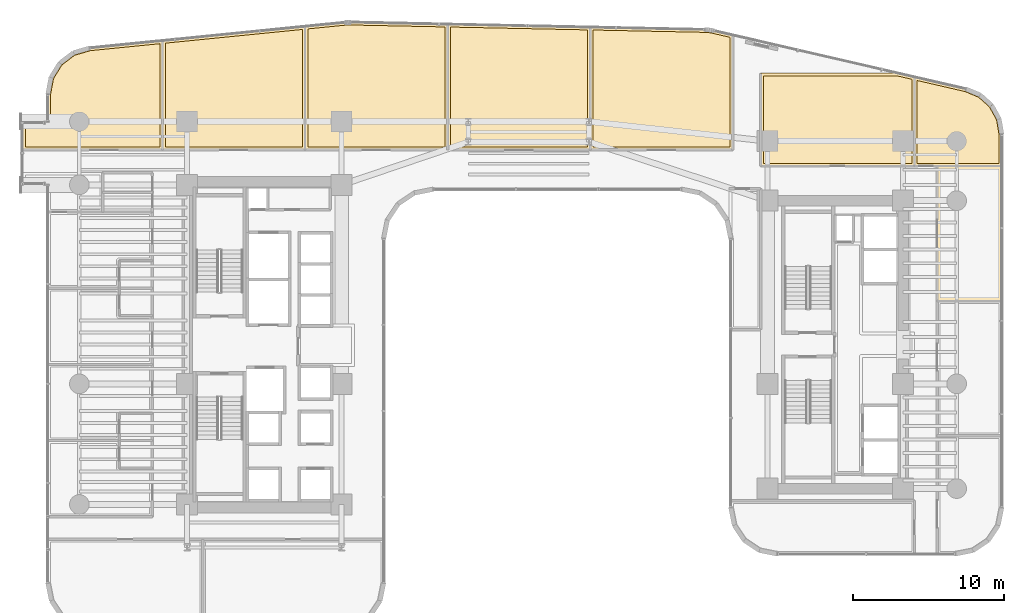
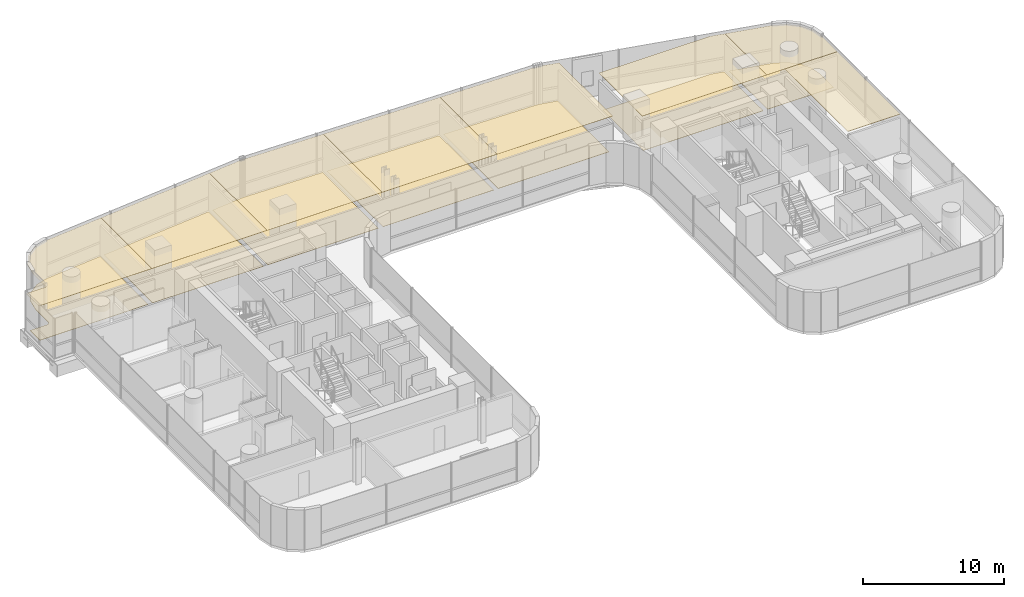
# One storey, part 40 of 40: 15 coverings.
"""IFC4 building model written with IfcOpenShell, lengths in metres."""

from ifc_helpers import new_model, si_unit, direction, frame, origin, place, context, subcontext, project, spatial, polyline, outline, extrude, material, layer, layer_set, type_object, element, save


model = new_model("IFC4")

# Units and contexts
model_context = context("Model", 3, precision=1e-05, world=origin(), true_north=direction((0.0, 1.0)))
body_context = subcontext(model_context, "Body", "Model", "MODEL_VIEW")
ifc_project = project(units=[si_unit("LENGTHUNIT", "METRE"), si_unit("AREAUNIT", "SQUARE_METRE"), si_unit("VOLUMEUNIT", "CUBIC_METRE"), si_unit("PLANEANGLEUNIT", "RADIAN"), si_unit("MASSUNIT", "GRAM", prefix="KILO")], contexts=[model_context])

# Site, building, storey
site_placement = place(None, origin())
site = spatial("IfcSite", under=ifc_project, at=site_placement, CompositionType="ELEMENT")
building_placement = place(site_placement, origin())
building = spatial("IfcBuilding", under=site, at=building_placement, Name="Valdorenza Pilgrim Sanctuary Tower", CompositionType="ELEMENT")
storey_placement = place(building_placement, frame((0.0, 0.0, 81.5)))
storey = spatial("IfcBuildingStorey", under=building, at=storey_placement, Name="L20", CompositionType="ELEMENT", Elevation=81.5)

# Coverings
ifc_material_1 = material(Name="Micro-perforated acoustic mineral ceiling tile", Category="gypsum")
ifc_layer_1 = layer(ifc_material_1, 0.02490234375, Name="Micro-perforated acoustic mineral ceiling tile")
ifc_layer_set_1 = layer_set([ifc_layer_1], Name="Micro-perforated acoustic mineral ceiling tile")
covering_type_1 = type_object("IfcCoveringType", Name="COV-CLG-ACU", PredefinedType="CEILING", material=ifc_layer_set_1)
covering_1_placement = place(storey_placement, frame((0.0, 0.0, 3.159912109375)))
element("IfcCovering", 1, at=covering_1_placement, inside=storey, type_object=covering_type_1, Name="L20 Theological Seminar Classroom L20-N1 Acoustic Ceiling", PredefinedType="CEILING", context=body_context, shape_type="SweptSolid", body=[
    extrude(outline(polyline([(-33.5400390625, 12.905029296875), (-33.54150390625, 12.905029296875), (-33.54296875, 12.9052734375), (-33.54443359375, 12.905517578125), (-33.545654296875, 12.906005859375), (-33.547119140625, 12.90673828125), (-33.54833984375, 12.907470703125), (-33.549560546875, 12.908447265625), (-33.550537109375, 12.909423828125), (-33.551513671875, 12.910400390625), (-33.552490234375, 12.91162109375), (-33.55322265625, 12.912841796875), (-33.553955078125, 12.914306640625), (-33.554443359375, 12.91552734375), (-33.5546875, 12.9169921875), (-33.554931640625, 12.91845703125), (-33.554931640625, 12.919921875), (-33.554931640625, 14.68994140625), (-33.554931640625, 14.69140625), (-33.5546875, 14.69287109375), (-33.554443359375, 14.6943359375), (-33.553955078125, 14.69580078125), (-33.55322265625, 14.697021484375), (-33.552490234375, 14.6982421875), (-33.551513671875, 14.699462890625), (-33.550537109375, 14.70068359375), (-33.549560546875, 14.70166015625), (-33.54833984375, 14.702392578125), (-33.547119140625, 14.703125), (-33.545654296875, 14.703857421875), (-33.54443359375, 14.704345703125), (-33.54296875, 14.70458984375), (-33.54150390625, 14.704833984375), (-33.5400390625, 14.705078125), (-32.00048828125, 14.705078125), (-31.99072265625, 14.70556640625), (-31.9814453125, 14.706787109375), (-31.972412109375, 14.708984375), (-31.963623046875, 14.712158203125), (-31.955078125, 14.71630859375), (-31.947265625, 14.720947265625), (-31.939697265625, 14.7265625), (-31.932861328125, 14.73291015625), (-31.926513671875, 14.73974609375), (-31.9208984375, 14.747314453125), (-31.916259765625, 14.755126953125), (-31.912109375, 14.763671875), (-31.9091796875, 14.7724609375), (-31.90673828125, 14.781494140625), (-31.905517578125, 14.790771484375), (-31.905029296875, 14.80029296875), (-31.905029296875, 16.593994140625), (-31.90478515625, 16.59521484375), (-31.90478515625, 16.5966796875), (-31.6962890625, 17.717041015625), (-31.696044921875, 17.718505859375), (-31.695556640625, 17.7197265625), (-31.695068359375, 17.720947265625), (-31.6943359375, 17.72216796875), (-31.102294921875, 18.68408203125), (-31.1015625, 18.685302734375), (-31.100830078125, 18.686279296875), (-31.099853515625, 18.687255859375), (-31.0986328125, 18.688232421875), (-30.20068359375, 19.372802734375), (-30.199462890625, 19.37353515625), (-30.1982421875, 19.374267578125), (-30.197021484375, 19.374755859375), (-30.19580078125, 19.375244140625), (-29.1015625, 19.694091796875), (-29.10009765625, 19.694580078125), (-29.098876953125, 19.694580078125), (-24.283447265625, 20.17626953125), (-24.281982421875, 20.17626953125), (-24.280517578125, 20.17626953125), (-24.279052734375, 20.176025390625), (-24.277587890625, 20.175537109375), (-24.2763671875, 20.175048828125), (-24.27490234375, 20.174560546875), (-24.273681640625, 20.173828125), (-24.2724609375, 20.1728515625), (-24.271484375, 20.171875), (-24.2705078125, 20.1708984375), (-24.26953125, 20.169677734375), (-24.268798828125, 20.16845703125), (-24.26806640625, 20.1669921875), (-24.267578125, 20.16552734375), (-24.267333984375, 20.164306640625), (-24.26708984375, 20.162841796875), (-24.26708984375, 20.161376953125), (-24.26708984375, 12.919921875), (-24.26708984375, 12.91845703125), (-24.267333984375, 12.9169921875), (-24.267578125, 12.91552734375), (-24.26806640625, 12.914306640625), (-24.268798828125, 12.912841796875), (-24.26953125, 12.91162109375), (-24.2705078125, 12.910400390625), (-24.271484375, 12.909423828125), (-24.2724609375, 12.908447265625), (-24.273681640625, 12.907470703125), (-24.27490234375, 12.90673828125), (-24.2763671875, 12.906005859375), (-24.277587890625, 12.905517578125), (-24.279052734375, 12.9052734375), (-24.280517578125, 12.905029296875), (-24.281982421875, 12.905029296875), (-33.5400390625, 12.905029296875)])), origin(), (0.0, 0.0, 1.0), 0.025146484375),
])
covering_2_placement = place(storey_placement, frame((0.0, 0.0, 3.159912109375)))
element("IfcCovering", 2, at=covering_2_placement, inside=storey, type_object=covering_type_1, Name="L20 Theological Seminar Classroom L20-N2 Acoustic Ceiling", PredefinedType="CEILING", context=body_context, shape_type="SweptSolid", body=[
    extrude(outline(polyline([(-24.294921875, 20.161376953125), (-24.294921875, 20.162353515625), (-24.294921875, 20.163818359375), (-24.29443359375, 20.165283203125), (-24.294189453125, 20.166748046875), (-24.29345703125, 20.168212890625), (-24.292724609375, 20.16943359375), (-24.291748046875, 20.170654296875), (-24.291015625, 20.171875), (-24.289794921875, 20.1728515625), (-24.28857421875, 20.173828125), (-24.287353515625, 20.174560546875), (-24.285888671875, 20.17529296875), (-24.284423828125, 20.17578125), (-24.282958984375, 20.17626953125), (-24.281494140625, 20.176513671875), (-14.825439453125, 21.1220703125), (-14.823974609375, 21.1220703125), (-14.822509765625, 21.1220703125), (-14.821044921875, 21.121826171875), (-14.819580078125, 21.121337890625), (-14.818359375, 21.120849609375), (-14.81689453125, 21.120361328125), (-14.815673828125, 21.119384765625), (-14.814453125, 21.11865234375), (-14.8134765625, 21.11767578125), (-14.8125, 21.11669921875), (-14.8115234375, 21.115478515625), (-14.810791015625, 21.114013671875), (-14.81005859375, 21.11279296875), (-14.8095703125, 21.111328125), (-14.809326171875, 21.110107421875), (-14.80908203125, 21.1083984375), (-14.80908203125, 21.107177734375), (-14.80908203125, 12.919921875), (-14.80908203125, 12.91845703125), (-14.809326171875, 12.9169921875), (-14.8095703125, 12.91552734375), (-14.81005859375, 12.914306640625), (-14.810791015625, 12.912841796875), (-14.8115234375, 12.91162109375), (-14.8125, 12.910400390625), (-14.8134765625, 12.909423828125), (-14.814453125, 12.908447265625), (-14.815673828125, 12.907470703125), (-14.81689453125, 12.90673828125), (-14.818359375, 12.906005859375), (-14.819580078125, 12.905517578125), (-14.821044921875, 12.9052734375), (-14.822509765625, 12.905029296875), (-14.823974609375, 12.905029296875), (-24.280029296875, 12.905029296875), (-24.281494140625, 12.905029296875), (-24.282958984375, 12.9052734375), (-24.284423828125, 12.905517578125), (-24.28564453125, 12.906005859375), (-24.287109375, 12.90673828125), (-24.288330078125, 12.907470703125), (-24.28955078125, 12.908447265625), (-24.29052734375, 12.909423828125), (-24.29150390625, 12.910400390625), (-24.29248046875, 12.91162109375), (-24.293212890625, 12.912841796875), (-24.2939453125, 12.914306640625), (-24.29443359375, 12.91552734375), (-24.294677734375, 12.9169921875), (-24.294921875, 12.91845703125), (-24.294921875, 12.919921875), (-24.294921875, 20.161376953125), (-24.294921875, 20.161376953125)])), origin(), (0.0, 0.0, 1.0), 0.025146484375),
])
covering_3_placement = place(storey_placement, frame((0.0, 0.0, 3.159912109375)))
element("IfcCovering", 3, at=covering_3_placement, inside=storey, type_object=covering_type_1, Name="L20 Theological Seminar Classroom L20-N3 Acoustic Ceiling", PredefinedType="CEILING", context=body_context, shape_type="SweptSolid", body=[
    extrude(outline(polyline([(-14.8369140625, 21.107177734375), (-14.8369140625, 21.108154296875), (-14.8369140625, 21.109619140625), (-14.83642578125, 21.111083984375), (-14.836181640625, 21.112548828125), (-14.83544921875, 21.114013671875), (-14.834716796875, 21.115234375), (-14.833740234375, 21.116455078125), (-14.8330078125, 21.11767578125), (-14.831787109375, 21.11865234375), (-14.83056640625, 21.11962890625), (-14.829345703125, 21.120361328125), (-14.827880859375, 21.12109375), (-14.826416015625, 21.12158203125), (-14.824951171875, 21.1220703125), (-14.823486328125, 21.122314453125), (-12.18359375, 21.38623046875), (-12.183349609375, 21.38623046875), (-12.089599609375, 21.39404296875), (-12.089111328125, 21.39404296875), (-11.996337890625, 21.399169921875), (-11.995849609375, 21.3994140625), (-11.902587890625, 21.401611328125), (-11.90234375, 21.401611328125), (-11.808349609375, 21.40087890625), (-11.80810546875, 21.40087890625), (-5.36572265625, 21.266845703125), (-5.3642578125, 21.2666015625), (-5.36279296875, 21.266357421875), (-5.361328125, 21.26611328125), (-5.360107421875, 21.265625), (-5.358642578125, 21.264892578125), (-5.357421875, 21.26416015625), (-5.356201171875, 21.26318359375), (-5.355224609375, 21.26220703125), (-5.354248046875, 21.26123046875), (-5.353515625, 21.260009765625), (-5.352783203125, 21.2587890625), (-5.35205078125, 21.257568359375), (-5.3515625, 21.256103515625), (-5.351318359375, 21.254638671875), (-5.35107421875, 21.253173828125), (-5.35107421875, 21.251708984375), (-5.35107421875, 12.919921875), (-5.35107421875, 12.91845703125), (-5.351318359375, 12.9169921875), (-5.3515625, 12.91552734375), (-5.35205078125, 12.914306640625), (-5.352783203125, 12.912841796875), (-5.353515625, 12.91162109375), (-5.3544921875, 12.910400390625), (-5.35546875, 12.909423828125), (-5.3564453125, 12.908447265625), (-5.357666015625, 12.907470703125), (-5.35888671875, 12.90673828125), (-5.3603515625, 12.906005859375), (-5.361572265625, 12.905517578125), (-5.363037109375, 12.9052734375), (-5.364501953125, 12.905029296875), (-5.365966796875, 12.905029296875), (-14.822021484375, 12.905029296875), (-14.823486328125, 12.905029296875), (-14.824951171875, 12.9052734375), (-14.826416015625, 12.905517578125), (-14.82763671875, 12.906005859375), (-14.8291015625, 12.90673828125), (-14.830322265625, 12.907470703125), (-14.83154296875, 12.908447265625), (-14.83251953125, 12.909423828125), (-14.83349609375, 12.910400390625), (-14.83447265625, 12.91162109375), (-14.835205078125, 12.912841796875), (-14.8359375, 12.914306640625), (-14.83642578125, 12.91552734375), (-14.836669921875, 12.9169921875), (-14.8369140625, 12.91845703125), (-14.8369140625, 12.919921875), (-14.8369140625, 21.107177734375), (-14.8369140625, 21.107177734375)])), origin(), (0.0, 0.0, 1.0), 0.025146484375),
])
covering_4_placement = place(storey_placement, frame((0.0, 0.0, 3.159912109375)))
element("IfcCovering", 4, at=covering_4_placement, inside=storey, type_object=covering_type_1, Name="L20 Theological Seminar Classroom L20-N4 Acoustic Ceiling", PredefinedType="CEILING", context=body_context, shape_type="SweptSolid", body=[
    extrude(outline(polyline([(-5.364013671875, 12.905029296875), (-5.365478515625, 12.905029296875), (-5.366943359375, 12.9052734375), (-5.368408203125, 12.905517578125), (-5.36962890625, 12.906005859375), (-5.37109375, 12.90673828125), (-5.372314453125, 12.907470703125), (-5.37353515625, 12.908447265625), (-5.37451171875, 12.909423828125), (-5.37548828125, 12.910400390625), (-5.37646484375, 12.91162109375), (-5.377197265625, 12.912841796875), (-5.3779296875, 12.914306640625), (-5.37841796875, 12.91552734375), (-5.378662109375, 12.9169921875), (-5.37890625, 12.91845703125), (-5.37890625, 12.919921875), (-5.37890625, 21.251708984375), (-5.37890625, 21.253173828125), (-5.378662109375, 21.254638671875), (-5.37841796875, 21.256103515625), (-5.377685546875, 21.257568359375), (-5.377197265625, 21.2587890625), (-5.37646484375, 21.26025390625), (-5.37548828125, 21.261474609375), (-5.37451171875, 21.262451171875), (-5.373291015625, 21.263427734375), (-5.372314453125, 21.264404296875), (-5.370849609375, 21.26513671875), (-5.369384765625, 21.265625), (-5.3681640625, 21.26611328125), (-5.36669921875, 21.2666015625), (-5.365234375, 21.2666015625), (-5.36376953125, 21.2666015625), (4.09228515625, 21.069580078125), (4.09375, 21.069580078125), (4.09521484375, 21.0693359375), (4.0966796875, 21.069091796875), (4.097900390625, 21.068603515625), (4.099365234375, 21.06787109375), (4.1005859375, 21.067138671875), (4.101806640625, 21.066162109375), (4.102783203125, 21.065185546875), (4.103759765625, 21.064208984375), (4.1044921875, 21.06298828125), (4.105224609375, 21.061767578125), (4.10595703125, 21.060302734375), (4.1064453125, 21.05908203125), (4.106689453125, 21.0576171875), (4.10693359375, 21.05615234375), (4.10693359375, 21.0546875), (4.10693359375, 12.919921875), (4.10693359375, 12.91845703125), (4.106689453125, 12.9169921875), (4.1064453125, 12.91552734375), (4.10595703125, 12.914306640625), (4.105224609375, 12.912841796875), (4.1044921875, 12.91162109375), (4.103515625, 12.910400390625), (4.1025390625, 12.909423828125), (4.1015625, 12.908447265625), (4.100341796875, 12.907470703125), (4.09912109375, 12.90673828125), (4.09765625, 12.906005859375), (4.096435546875, 12.905517578125), (4.094970703125, 12.9052734375), (4.093505859375, 12.905029296875), (4.092041015625, 12.905029296875), (-5.364013671875, 12.905029296875)])), origin(), (0.0, 0.0, 1.0), 0.025146484375),
])
covering_5_placement = place(storey_placement, frame((0.0, 0.0, 3.159912109375)))
element("IfcCovering", 5, at=covering_5_placement, inside=storey, type_object=covering_type_1, Name="L20 Theological Seminar Classroom L20-N5 Acoustic Ceiling", PredefinedType="CEILING", context=body_context, shape_type="SweptSolid", body=[
    extrude(outline(polyline([(4.093994140625, 12.905029296875), (4.092529296875, 12.905029296875), (4.091064453125, 12.9052734375), (4.089599609375, 12.905517578125), (4.08837890625, 12.906005859375), (4.0869140625, 12.90673828125), (4.085693359375, 12.907470703125), (4.08447265625, 12.908447265625), (4.08349609375, 12.909423828125), (4.08251953125, 12.910400390625), (4.08154296875, 12.91162109375), (4.080810546875, 12.912841796875), (4.080078125, 12.914306640625), (4.07958984375, 12.91552734375), (4.079345703125, 12.9169921875), (4.0791015625, 12.91845703125), (4.0791015625, 12.919921875), (4.0791015625, 21.0546875), (4.0791015625, 21.05615234375), (4.079345703125, 21.0576171875), (4.07958984375, 21.05908203125), (4.080078125, 21.060546875), (4.080810546875, 21.06201171875), (4.08154296875, 21.06298828125), (4.08251953125, 21.064208984375), (4.08349609375, 21.0654296875), (4.084716796875, 21.06640625), (4.085693359375, 21.0673828125), (4.087158203125, 21.068115234375), (4.08837890625, 21.068603515625), (4.08984375, 21.069091796875), (4.09130859375, 21.069580078125), (4.0927734375, 21.069580078125), (4.09423828125, 21.069580078125), (11.666015625, 20.912109375), (11.66650390625, 20.911865234375), (11.82666015625, 20.904296875), (11.827392578125, 20.904296875), (11.98583984375, 20.888916015625), (11.986572265625, 20.888671875), (12.143798828125, 20.864990234375), (12.14453125, 20.864990234375), (12.302001953125, 20.832763671875), (12.30224609375, 20.832763671875), (13.553466796875, 20.5439453125), (13.5546875, 20.543701171875), (13.55615234375, 20.543212890625), (13.557373046875, 20.54248046875), (13.55859375, 20.541748046875), (13.559814453125, 20.540771484375), (13.560791015625, 20.539794921875), (13.561767578125, 20.538818359375), (13.5625, 20.53759765625), (13.563232421875, 20.536376953125), (13.56396484375, 20.534912109375), (13.564453125, 20.53369140625), (13.564697265625, 20.5322265625), (13.56494140625, 20.53076171875), (13.56494140625, 20.529296875), (13.56494140625, 12.919921875), (13.56494140625, 12.91845703125), (13.564697265625, 12.9169921875), (13.564453125, 12.91552734375), (13.56396484375, 12.914306640625), (13.563232421875, 12.912841796875), (13.5625, 12.91162109375), (13.5615234375, 12.910400390625), (13.560546875, 12.909423828125), (13.5595703125, 12.908447265625), (13.558349609375, 12.907470703125), (13.55712890625, 12.90673828125), (13.5556640625, 12.906005859375), (13.554443359375, 12.905517578125), (13.552978515625, 12.9052734375), (13.551513671875, 12.905029296875), (13.550048828125, 12.905029296875), (4.093994140625, 12.905029296875)])), origin(), (0.0, 0.0, 1.0), 0.025146484375),
])
covering_6_placement = place(storey_placement, frame((0.0, 0.0, 3.159912109375)))
element("IfcCovering", 6, at=covering_6_placement, inside=storey, type_object=covering_type_1, Name="L20 Curator Research Office L20-BN1 Acoustic Ceiling", PredefinedType="CEILING", context=body_context, shape_type="SweptSolid", body=[
    extrude(outline(polyline([(15.39990234375, 11.8349609375), (15.3984375, 11.835205078125), (15.397216796875, 11.835205078125), (15.3955078125, 11.835693359375), (15.394287109375, 11.836181640625), (15.392822265625, 11.8369140625), (15.3916015625, 11.83740234375), (15.390380859375, 11.83837890625), (15.389404296875, 11.83935546875), (15.388427734375, 11.840576171875), (15.387451171875, 11.841796875), (15.38671875, 11.843017578125), (15.385986328125, 11.84423828125), (15.385498046875, 11.845703125), (15.38525390625, 11.84716796875), (15.385009765625, 11.848388671875), (15.385009765625, 11.85009765625), (15.385009765625, 18.0), (15.385009765625, 18.00146484375), (15.38525390625, 18.0029296875), (15.385498046875, 18.00439453125), (15.385986328125, 18.005615234375), (15.38671875, 18.007080078125), (15.387451171875, 18.00830078125), (15.388427734375, 18.009521484375), (15.389404296875, 18.010498046875), (15.390380859375, 18.01171875), (15.3916015625, 18.012451171875), (15.392822265625, 18.01318359375), (15.394287109375, 18.013916015625), (15.3955078125, 18.014404296875), (15.397216796875, 18.0146484375), (15.3984375, 18.014892578125), (15.39990234375, 18.014892578125), (24.5107421875, 18.014892578125), (24.512451171875, 18.014892578125), (24.51416015625, 18.0146484375), (25.603515625, 17.76318359375), (25.604736328125, 17.762939453125), (25.606201171875, 17.76220703125), (25.607421875, 17.76171875), (25.608642578125, 17.760986328125), (25.609619140625, 17.760009765625), (25.61083984375, 17.759033203125), (25.61181640625, 17.758056640625), (25.612548828125, 17.7568359375), (25.61328125, 17.755615234375), (25.614013671875, 17.75439453125), (25.614501953125, 17.7529296875), (25.61474609375, 17.75146484375), (25.614990234375, 17.75), (25.614990234375, 17.74853515625), (25.614990234375, 11.85009765625), (25.614990234375, 11.848388671875), (25.61474609375, 11.84716796875), (25.614501953125, 11.845703125), (25.614013671875, 11.84423828125), (25.61328125, 11.843017578125), (25.612548828125, 11.841796875), (25.611572265625, 11.840576171875), (25.610595703125, 11.83935546875), (25.609619140625, 11.83837890625), (25.6083984375, 11.83740234375), (25.607177734375, 11.8369140625), (25.605712890625, 11.836181640625), (25.6044921875, 11.835693359375), (25.602783203125, 11.835205078125), (25.6015625, 11.835205078125), (25.60009765625, 11.8349609375), (15.39990234375, 11.8349609375)])), origin(), (0.0, 0.0, 1.0), 0.025146484375),
])
covering_7_placement = place(storey_placement, frame((0.0, 0.0, 3.159912109375)))
element("IfcCovering", 7, at=covering_7_placement, inside=storey, type_object=covering_type_1, Name="L20 East Wing Reference Library L20-BNE Acoustic Ceiling", PredefinedType="CEILING", context=body_context, shape_type="SweptSolid", body=[
    extrude(outline(polyline([(28.9892578125, 16.98193359375), (28.990478515625, 16.981689453125), (28.99169921875, 16.981201171875), (29.95361328125, 16.580322265625), (29.955078125, 16.57958984375), (29.95654296875, 16.57861328125), (29.9580078125, 16.57763671875), (30.72705078125, 15.88818359375), (30.728271484375, 15.886962890625), (30.729248046875, 15.8857421875), (30.72998046875, 15.88427734375), (31.22900390625, 14.97998046875), (31.2294921875, 14.978271484375), (31.230224609375, 14.976806640625), (31.230712890625, 14.97509765625), (31.40478515625, 13.947509765625), (31.40478515625, 13.9462890625), (31.405029296875, 13.945068359375), (31.405029296875, 11.85009765625), (31.40478515625, 11.848388671875), (31.40478515625, 11.84716796875), (31.404296875, 11.845703125), (31.40380859375, 11.84423828125), (31.4033203125, 11.843017578125), (31.402587890625, 11.841796875), (31.401611328125, 11.840576171875), (31.400634765625, 11.83935546875), (31.3994140625, 11.83837890625), (31.398193359375, 11.83740234375), (31.397216796875, 11.8369140625), (31.395751953125, 11.836181640625), (31.394287109375, 11.835693359375), (31.392822265625, 11.835205078125), (31.3916015625, 11.835205078125), (31.389892578125, 11.8349609375), (25.60205078125, 11.8349609375), (25.6005859375, 11.835205078125), (25.59912109375, 11.835205078125), (25.59765625, 11.835693359375), (25.59619140625, 11.836181640625), (25.594970703125, 11.8369140625), (25.59375, 11.83740234375), (25.592529296875, 11.83837890625), (25.59130859375, 11.83935546875), (25.59033203125, 11.840576171875), (25.589599609375, 11.841796875), (25.5888671875, 11.843017578125), (25.588134765625, 11.84423828125), (25.587646484375, 11.845703125), (25.58740234375, 11.84716796875), (25.587158203125, 11.848388671875), (25.5869140625, 11.85009765625), (25.5869140625, 17.748291015625), (25.587158203125, 17.749755859375), (25.58740234375, 17.751220703125), (25.587646484375, 17.752685546875), (25.588134765625, 17.75390625), (25.5888671875, 17.75537109375), (25.589599609375, 17.756591796875), (25.590576171875, 17.7578125), (25.591552734375, 17.7587890625), (25.5927734375, 17.760009765625), (25.593994140625, 17.7607421875), (25.59521484375, 17.761474609375), (25.596435546875, 17.76220703125), (25.597900390625, 17.7626953125), (25.599365234375, 17.762939453125), (25.600830078125, 17.76318359375), (25.602294921875, 17.76318359375), (25.60400390625, 17.76318359375), (25.60546875, 17.7626953125), (28.9892578125, 16.98193359375)])), origin(), (0.0, 0.0, 1.0), 0.025146484375),
])
covering_8_placement = place(storey_placement, frame((0.0, 0.0, 3.159912109375)))
element("IfcCovering", 8, at=covering_8_placement, inside=storey, type_object=covering_type_1, Name="L20 East Reading Lounge L20-EB3 Acoustic Ceiling", PredefinedType="CEILING", context=body_context, shape_type="SweptSolid", body=[
    extrude(outline(polyline([(27.0849609375, 11.847900390625), (27.085205078125, 11.849609375), (27.085205078125, 11.850830078125), (27.085693359375, 11.852294921875), (27.086181640625, 11.853759765625), (27.0869140625, 11.85498046875), (27.08740234375, 11.856201171875), (27.08837890625, 11.857421875), (27.08935546875, 11.858642578125), (27.090576171875, 11.859619140625), (27.091796875, 11.860595703125), (27.093017578125, 11.861083984375), (27.09423828125, 11.86181640625), (27.095703125, 11.8623046875), (27.09716796875, 11.86279296875), (27.098388671875, 11.86279296875), (27.10009765625, 11.863037109375), (31.389892578125, 11.863037109375), (31.3916015625, 11.86279296875), (31.392822265625, 11.86279296875), (31.394287109375, 11.8623046875), (31.395751953125, 11.86181640625), (31.397216796875, 11.861083984375), (31.398193359375, 11.860595703125), (31.3994140625, 11.859619140625), (31.400634765625, 11.858642578125), (31.401611328125, 11.857421875), (31.402587890625, 11.856201171875), (31.4033203125, 11.85498046875), (31.40380859375, 11.853759765625), (31.404296875, 11.852294921875), (31.40478515625, 11.850830078125), (31.40478515625, 11.849609375), (31.405029296875, 11.847900390625), (31.405029296875, 2.902099609375), (31.40478515625, 2.900390625), (31.40478515625, 2.899169921875), (31.404296875, 2.897705078125), (31.40380859375, 2.896240234375), (31.4033203125, 2.89501953125), (31.402587890625, 2.893798828125), (31.401611328125, 2.892578125), (31.400634765625, 2.891357421875), (31.3994140625, 2.890380859375), (31.398193359375, 2.889404296875), (31.397216796875, 2.888916015625), (31.395751953125, 2.88818359375), (31.394287109375, 2.8876953125), (31.392822265625, 2.88720703125), (31.3916015625, 2.88720703125), (31.389892578125, 2.886962890625), (27.10009765625, 2.886962890625), (27.098388671875, 2.88720703125), (27.09716796875, 2.88720703125), (27.095703125, 2.8876953125), (27.09423828125, 2.88818359375), (27.093017578125, 2.888916015625), (27.091796875, 2.889404296875), (27.090576171875, 2.890380859375), (27.08935546875, 2.891357421875), (27.08837890625, 2.892578125), (27.08740234375, 2.893798828125), (27.0869140625, 2.89501953125), (27.086181640625, 2.896240234375), (27.085693359375, 2.897705078125), (27.085205078125, 2.899169921875), (27.085205078125, 2.900390625), (27.0849609375, 2.902099609375), (27.0849609375, 11.847900390625)])), origin(), (0.0, 0.0, 1.0), 0.025146484375),
])
ifc_material_2 = material(Name="Engineered European oak timber flooring", Category="wood")
ifc_layer_2 = layer(ifc_material_2, 0.02197265625, Name="Engineered European oak timber flooring")
ifc_layer_set_2 = layer_set([ifc_layer_2], Name="Engineered European oak timber flooring")
covering_type_2 = type_object("IfcCoveringType", Name="COV-FLR-OAK", PredefinedType="FLOORING", material=ifc_layer_set_2)
covering_9_placement = place(storey_placement, origin())
element("IfcCovering", 9, at=covering_9_placement, inside=storey, type_object=covering_type_2, Name="L20 Theological Seminar Classroom L20-N1 Flooring", PredefinedType="FLOORING", context=body_context, shape_type="SweptSolid", body=[
    extrude(outline(polyline([(-33.360107421875, 13.10009765625), (-33.360107421875, 14.510009765625), (-32.0, 14.510009765625), (-31.9912109375, 14.51025390625), (-31.98046875, 14.5107421875), (-31.962890625, 14.512451171875), (-31.9521484375, 14.51416015625), (-31.934814453125, 14.517578125), (-31.92431640625, 14.52001953125), (-31.907470703125, 14.525390625), (-31.897216796875, 14.52880859375), (-31.880859375, 14.53564453125), (-31.87109375, 14.540283203125), (-31.855712890625, 14.548583984375), (-31.84619140625, 14.55419921875), (-31.831787109375, 14.56396484375), (-31.822998046875, 14.5703125), (-31.809326171875, 14.58154296875), (-31.80126953125, 14.5888671875), (-31.788818359375, 14.601318359375), (-31.781494140625, 14.609375), (-31.7705078125, 14.623046875), (-31.763916015625, 14.631591796875), (-31.754150390625, 14.646240234375), (-31.74853515625, 14.655517578125), (-31.740234375, 14.671142578125), (-31.735595703125, 14.680908203125), (-31.72900390625, 14.697265625), (-31.725341796875, 14.70751953125), (-31.72021484375, 14.724365234375), (-31.717529296875, 14.73486328125), (-31.714111328125, 14.752197265625), (-31.71240234375, 14.7626953125), (-31.710693359375, 14.780517578125), (-31.710205078125, 14.791259765625), (-31.7099609375, 14.800048828125), (-31.7099609375, 16.577392578125), (-31.5107421875, 17.6484375), (-30.953857421875, 18.553466796875), (-30.109130859375, 19.197509765625), (-29.06298828125, 19.502197265625), (-24.4619140625, 19.96240234375), (-24.4619140625, 13.10009765625), (-33.360107421875, 13.10009765625)])), origin(), (0.0, 0.0, 1.0), 0.02490234375),
])
covering_10_placement = place(storey_placement, origin())
element("IfcCovering", 10, at=covering_10_placement, inside=storey, type_object=covering_type_2, Name="L20 Theological Seminar Classroom L20-N2 Flooring", PredefinedType="FLOORING", context=body_context, shape_type="SweptSolid", body=[
    extrude(outline(polyline([(-24.10009765625, 13.10009765625), (-24.10009765625, 19.998291015625), (-15.00390625, 20.908203125), (-15.00390625, 13.10009765625), (-24.10009765625, 13.10009765625)])), origin(), (0.0, 0.0, 1.0), 0.02490234375),
])
covering_11_placement = place(storey_placement, origin())
element("IfcCovering", 11, at=covering_11_placement, inside=storey, type_object=covering_type_2, Name="L20 Theological Seminar Classroom L20-N3 Flooring", PredefinedType="FLOORING", context=body_context, shape_type="SweptSolid", body=[
    extrude(outline(polyline([(-14.64208984375, 13.10009765625), (-14.64208984375, 20.944091796875), (-12.16552734375, 21.19189453125), (-12.07568359375, 21.19970703125), (-11.98828125, 21.204345703125), (-11.900634765625, 21.20654296875), (-11.810791015625, 21.2060546875), (-5.5458984375, 21.075439453125), (-5.5458984375, 13.10009765625), (-14.64208984375, 13.10009765625)])), origin(), (0.0, 0.0, 1.0), 0.02490234375),
])
covering_12_placement = place(storey_placement, origin())
element("IfcCovering", 12, at=covering_12_placement, inside=storey, type_object=covering_type_2, Name="L20 Theological Seminar Classroom L20-N4 Flooring", PredefinedType="FLOORING", context=body_context, shape_type="SweptSolid", body=[
    extrude(outline(polyline([(-5.18408203125, 13.10009765625), (-5.18408203125, 21.068115234375), (3.912109375, 20.87841796875), (3.912109375, 13.10009765625), (-5.18408203125, 13.10009765625)])), origin(), (0.0, 0.0, 1.0), 0.02490234375),
])
covering_13_placement = place(storey_placement, origin())
element("IfcCovering", 13, at=covering_13_placement, inside=storey, type_object=covering_type_2, Name="L20 Theological Seminar Classroom L20-N5 Flooring", PredefinedType="FLOORING", context=body_context, shape_type="SweptSolid", body=[
    extrude(outline(polyline([(4.27392578125, 13.10009765625), (4.27392578125, 20.870849609375), (11.65966796875, 20.717041015625), (11.81298828125, 20.7099609375), (11.962158203125, 20.6953125), (12.110107421875, 20.6728515625), (12.2607421875, 20.64208984375), (13.3701171875, 20.38623046875), (13.3701171875, 13.10009765625), (4.27392578125, 13.10009765625)])), origin(), (0.0, 0.0, 1.0), 0.02490234375),
])
ifc_material_3 = material(Name="Honed travertine stone flooring", Category="masonry")
ifc_layer_3 = layer(ifc_material_3, 0.030029296875, Name="Honed travertine stone flooring")
ifc_layer_set_3 = layer_set([ifc_layer_3], Name="Honed travertine stone flooring")
covering_type_3 = type_object("IfcCoveringType", Name="COV-FLR-TRV", PredefinedType="FLOORING", material=ifc_layer_set_3)
covering_14_placement = place(storey_placement, origin())
element("IfcCovering", 14, at=covering_14_placement, inside=storey, type_object=covering_type_3, Name="L20 Curator Research Office L20-BN1 Flooring", PredefinedType="FLOORING", context=body_context, shape_type="SweptSolid", body=[
    extrude(outline(polyline([(15.580078125, 12.030029296875), (15.580078125, 17.820068359375), (24.490234375, 17.820068359375), (25.419921875, 17.60546875), (25.419921875, 12.030029296875), (15.580078125, 12.030029296875)])), origin(), (0.0, 0.0, 1.0), 0.02490234375),
])
covering_15_placement = place(storey_placement, origin())
element("IfcCovering", 15, at=covering_15_placement, inside=storey, type_object=covering_type_3, Name="L20 East Wing Reference Library L20-BNE Flooring", PredefinedType="FLOORING", context=body_context, shape_type="SweptSolid", body=[
    extrude(outline(polyline([(28.9306640625, 16.79541015625), (29.8505859375, 16.412109375), (30.57421875, 15.763427734375), (31.04345703125, 14.912353515625), (31.2099609375, 13.929931640625), (31.2099609375, 12.030029296875), (25.781982421875, 12.030029296875), (25.781982421875, 17.52197265625), (28.9306640625, 16.79541015625)])), origin(), (0.0, 0.0, 1.0), 0.02490234375),
])

save(model, "model.ifc")
